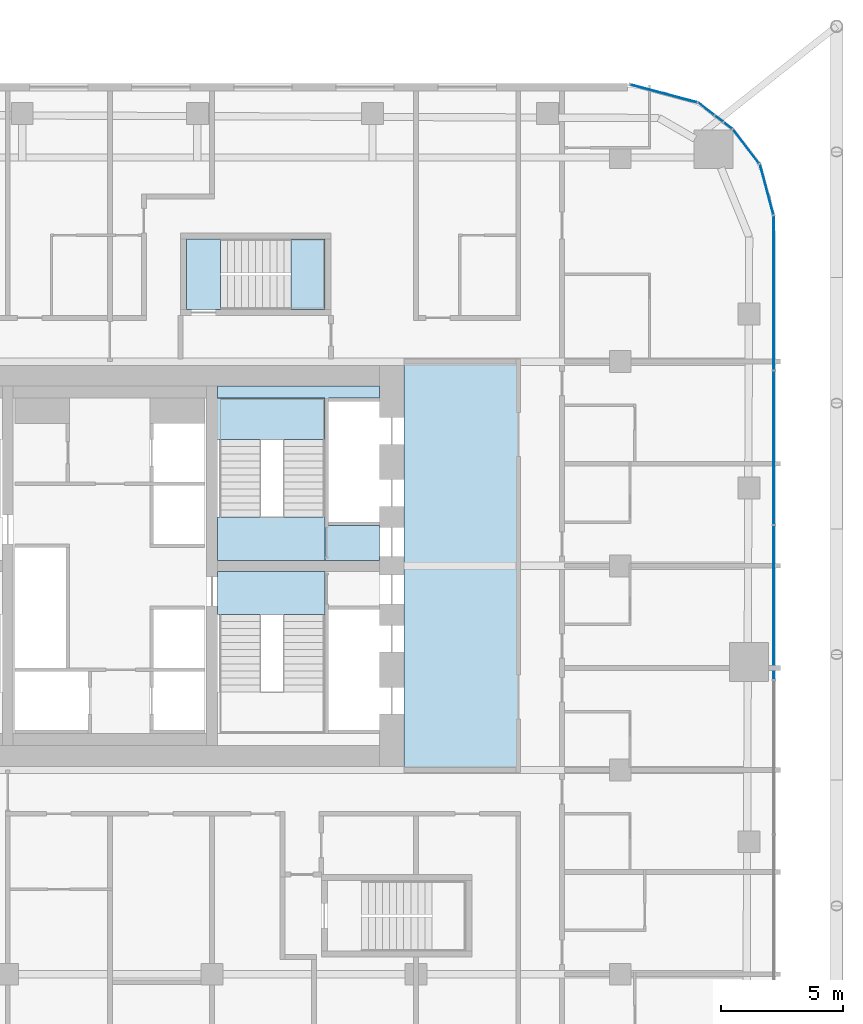
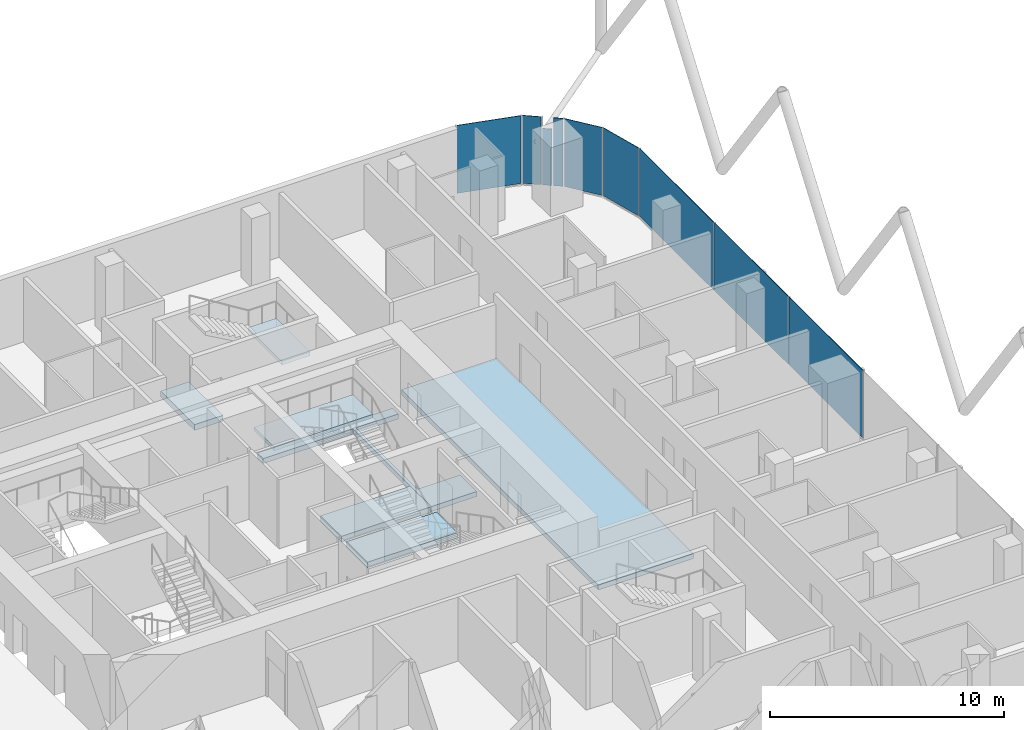
# One storey, part 23 of 33: 9 plates, 7 slabs, 9 elements without a shape of their own.
"""IFC4 building model written with IfcOpenShell, lengths in metres."""

from ifc_helpers import new_model, si_unit, direction, frame, origin, origin_2d, place, context, subcontext, project, spatial, polyline, rectangle, outline, extrude, material, layer, layer_set, type_object, element, aggregate, save


model = new_model("IFC4")

# Units and contexts
model_context = context("Model", 3, precision=1e-05, world=origin(), true_north=direction((0.0, 1.0)))
body_context = subcontext(model_context, "Body", "Model", "MODEL_VIEW")
ifc_project = project(units=[si_unit("LENGTHUNIT", "METRE"), si_unit("AREAUNIT", "SQUARE_METRE"), si_unit("VOLUMEUNIT", "CUBIC_METRE"), si_unit("PLANEANGLEUNIT", "RADIAN"), si_unit("MASSUNIT", "GRAM", prefix="KILO")], contexts=[model_context])

# Site, building, storey
site_placement = place(None, origin())
site = spatial("IfcSite", under=ifc_project, at=site_placement, CompositionType="ELEMENT")
building_placement = place(site_placement, origin())
building = spatial("IfcBuilding", under=site, at=building_placement, Name="Marenta Gate Hotel Tower", CompositionType="ELEMENT")
storey_placement = place(building_placement, frame((0.0, 0.0, 137.300048828125)))
storey = spatial("IfcBuildingStorey", under=building, at=storey_placement, Name="L31", CompositionType="ELEMENT", Elevation=137.300048828125)

# Slabs
ifc_material_1 = material(Name="Concrete C40", Category="concrete")
ifc_layer_1 = layer(ifc_material_1, 0.260009765625)
ifc_layer_set_1 = layer_set([ifc_layer_1], Name="Concrete C40")
slab_type_1 = type_object("IfcSlabType", Name="Core floor slab 260", PredefinedType="FLOOR", material=ifc_layer_set_1)
slab_1_placement = place(storey_placement, frame((0.0, 0.0, -0.260009765625)))
element("IfcSlab", 1, at=slab_1_placement, inside=storey, type_object=slab_type_1, Name="L31-CF-1", PredefinedType="FLOOR", context=body_context, shape_type="SweptSolid", body=[
    extrude(outline(polyline([(12.10009765625, 0.0), (12.10009765625, 16.800048828125), (16.800048828125, 16.800048828125), (16.800048828125, 0.0), (12.10009765625, 0.0)])), origin(), (0.0, 0.0, 1.0), 0.260009765625),
])
slab_2_placement = place(storey_placement, frame((0.0, 0.0, -0.260009765625)))
element("IfcSlab", 2, at=slab_2_placement, inside=storey, type_object=slab_type_1, Name="L31-CF-3", PredefinedType="FLOOR", context=body_context, shape_type="SweptSolid", body=[
    extrude(outline(polyline([(8.85009765625, 15.300048828125), (4.425048828125, 15.300048828125), (4.425048828125, 15.800048828125), (11.10009765625, 15.800048828125), (11.10009765625, 15.300048828125), (9.0, 15.300048828125), (9.0, 15.14990234375), (9.0, 12.75), (9.0, 12.60009765625), (9.0, 10.199951171875), (9.0, 10.050048828125), (11.10009765625, 10.050048828125), (11.10009765625, 8.625), (8.85009765625, 8.625), (8.85009765625, 8.699951171875), (8.85009765625, 10.39990234375), (8.85009765625, 15.300048828125)])), origin(), (0.0, 0.0, 1.0), 0.260009765625),
])

# Stair, slab
ifc_material_2 = material(Name="Concrete C40", Category="concrete")
stair_type_1 = type_object("IfcStairType", Name="Core exit stair 1700 wide", PredefinedType="HALF_TURN_STAIR", material=ifc_material_2)
stair_1_placement = place(storey_placement, origin())
stair_1 = element("IfcStair", 3, at=stair_1_placement, inside=storey, type_object=stair_type_1, Name="Exit stair 4", PredefinedType="HALF_TURN_STAIR")
ifc_material_3 = material(Name="Concrete C40", Category="concrete")
ifc_layer_2 = layer(ifc_material_3, 0.199951171875)
ifc_layer_set_2 = layer_set([ifc_layer_2], Name="Concrete C40")
slab_type_2 = type_object("IfcSlabType", Name="Core stair landing 200", PredefinedType="LANDING", material=ifc_layer_set_2)
slab_3_placement = place(storey_placement, frame((0.0, 0.0, 1.599853515625)))
slab_3 = element("IfcSlab", 4, at=slab_3_placement, type_object=slab_type_2, Name="SL-200 ST4 landing 1", PredefinedType="LANDING", context=body_context, shape_type="SweptSolid", body=[
    extrude(outline(polyline([(3.97509765625, 13.590087890625), (8.85009765625, 13.590087890625), (8.85009765625, 15.300048828125), (3.97509765625, 15.300048828125), (3.97509765625, 13.590087890625)])), origin(), (0.0, 0.0, 1.0), 0.2001953125),
])
aggregate(stair_1, [slab_3])

# Curtain wall, plates
ifc_material_4 = material(Name="Tinted insulated glass in bronze anodised frame", Category="glass")
ifc_layer_3 = layer(ifc_material_4, 0.1201171875)
ifc_layer_set_3 = layer_set([ifc_layer_3], Name="Tinted insulated glass in bronze anodised frame")
curtain_wall_type = type_object("IfcCurtainWallType", Name="Tower unitised curtain wall CW1", PredefinedType="NOTDEFINED", material=ifc_layer_set_3)
curtain_wall_1_placement = place(storey_placement, origin())
curtain_wall_1 = element("IfcCurtainWall", 5, at=curtain_wall_1_placement, inside=storey, type_object=curtain_wall_type, Name="CW1 run G19", PredefinedType="NOTDEFINED")
ifc_material_5 = material(Name="Tinted insulated glass", Category="glass")
ifc_layer_4 = layer(ifc_material_5, 0.028076171875)
ifc_layer_set_4 = layer_set([ifc_layer_4], Name="Tinted insulated glass")
plate_type = type_object("IfcPlateType", Name="Glass panel CW1 28 mm tinted insulated unit", PredefinedType="CURTAIN_PANEL", material=ifc_layer_set_4)
plate_1_placement = place(storey_placement, frame((27.31396484375, 6.891845703125, 0.059814453125), z_axis=(0.0, 0.0, 1.0), x_axis=(0.0, 1.0, 0.0)))
plate_1 = element("IfcPlate", 6, at=plate_1_placement, type_object=plate_type, Name="CW1 panel 4.1", PredefinedType="CURTAIN_PANEL", context=body_context, shape_type="SweptSolid", body=[
    extrude(rectangle(XDim=6.300048828125, YDim=0.028076171875, at=origin_2d()), origin(), (0.0, 0.0, 1.0), 3.5400390625),
])
plate_2_placement = place(storey_placement, frame((27.31396484375, 13.251953125, 0.059814453125), z_axis=(0.0, 0.0, 1.0), x_axis=(0.0, 1.0, 0.0)))
plate_2 = element("IfcPlate", 7, at=plate_2_placement, type_object=plate_type, Name="CW1 panel 5.1", PredefinedType="CURTAIN_PANEL", context=body_context, shape_type="SweptSolid", body=[
    extrude(rectangle(XDim=6.300048828125, YDim=0.028076171875, at=origin_2d()), origin(), (0.0, 0.0, 1.0), 3.5400390625),
])
plate_3_placement = place(storey_placement, frame((27.31396484375, 19.626953125, 0.059814453125), z_axis=(0.0, 0.0, 1.0), x_axis=(0.0, 1.0, 0.0)))
plate_3 = element("IfcPlate", 8, at=plate_3_placement, type_object=plate_type, Name="CW1 panel 6.1", PredefinedType="CURTAIN_PANEL", context=body_context, shape_type="SweptSolid", body=[
    extrude(rectangle(XDim=6.330078125, YDim=0.028076171875, at=origin_2d()), origin(), (0.0, 0.0, 1.0), 3.5400390625),
])
aggregate(curtain_wall_1, [plate_1, plate_2, plate_3])

# Curtain wall, plate
curtain_wall_2_placement = place(storey_placement, origin())
curtain_wall_2 = element("IfcCurtainWall", 9, at=curtain_wall_2_placement, inside=storey, type_object=curtain_wall_type, Name="CW1 run G20", PredefinedType="NOTDEFINED")
plate_4_placement = place(storey_placement, frame((27.022216796875, 23.880615234375, 0.059814453125), z_axis=(0.0, 0.0, 1.0), x_axis=(-0.258822651658, 0.965924859908, 0.0)))
plate_4 = element("IfcPlate", 10, at=plate_4_placement, type_object=plate_type, Name="CW1 panel 1.1", PredefinedType="CURTAIN_PANEL", context=body_context, shape_type="SweptSolid", body=[
    extrude(rectangle(XDim=2.13427734375, YDim=0.028076171875, at=origin_2d()), origin(), (0.0, 0.0, 1.0), 3.5400390625),
])
aggregate(curtain_wall_2, [plate_4])

curtain_wall_3_placement = place(storey_placement, origin())
curtain_wall_3 = element("IfcCurtainWall", 11, at=curtain_wall_3_placement, inside=storey, type_object=curtain_wall_type, Name="CW1 run G21", PredefinedType="NOTDEFINED")
plate_5_placement = place(storey_placement, frame((26.177490234375, 25.652099609375, 0.059814453125), z_axis=(0.0, 0.0, 1.0), x_axis=(-0.608796116694, 0.793326722289, 0.0)))
plate_5 = element("IfcPlate", 12, at=plate_5_placement, type_object=plate_type, Name="CW1 panel 1.1", PredefinedType="CURTAIN_PANEL", context=body_context, shape_type="SweptSolid", body=[
    extrude(rectangle(XDim=1.747802734375, YDim=0.028076171875, at=origin_2d()), origin(), (0.0, 0.0, 1.0), 3.5400390625),
])
aggregate(curtain_wall_3, [plate_5])

curtain_wall_4_placement = place(storey_placement, origin())
curtain_wall_4 = element("IfcCurtainWall", 13, at=curtain_wall_4_placement, inside=storey, type_object=curtain_wall_type, Name="CW1 run G22", PredefinedType="NOTDEFINED")
plate_6_placement = place(storey_placement, frame((25.4345703125, 26.50732421875, 0.059814453125), z_axis=(0.0, 0.0, 1.0), x_axis=(-0.793340265701, 0.608778467767, 0.0)))
plate_6 = element("IfcPlate", 14, at=plate_6_placement, type_object=plate_type, Name="CW1 panel 1.1", PredefinedType="CURTAIN_PANEL", context=body_context, shape_type="SweptSolid", body=[
    extrude(rectangle(XDim=0.411865234375, YDim=0.028076171875, at=origin_2d()), origin(), (0.0, 0.0, 1.0), 3.5400390625),
])
aggregate(curtain_wall_4, [plate_6])

curtain_wall_5_placement = place(storey_placement, origin())
curtain_wall_5 = element("IfcCurtainWall", 15, at=curtain_wall_5_placement, inside=storey, type_object=curtain_wall_type, Name="CW1 run G23", PredefinedType="NOTDEFINED")
plate_7_placement = place(storey_placement, frame((25.06201171875, 26.793212890625, 0.06005859375), z_axis=(0.0, 0.0, 1.0), x_axis=(-0.79337187392, 0.608737274752, 0.0)))
plate_7 = element("IfcPlate", 16, at=plate_7_placement, type_object=plate_type, Name="CW1 panel 1.1", PredefinedType="CURTAIN_PANEL", context=body_context, shape_type="SweptSolid", body=[
    extrude(rectangle(XDim=0.406982421875, YDim=0.028076171875, at=origin_2d()), origin(), (0.0, 0.0, 1.0), 2.9404296875),
])
aggregate(curtain_wall_5, [plate_7])

curtain_wall_6_placement = place(storey_placement, origin())
curtain_wall_6 = element("IfcCurtainWall", 17, at=curtain_wall_6_placement, inside=storey, type_object=curtain_wall_type, Name="CW1 run G24", PredefinedType="NOTDEFINED")
plate_8_placement = place(storey_placement, frame((24.5322265625, 27.19970703125, 0.059814453125), z_axis=(0.0, 0.0, 1.0), x_axis=(-0.793295108539, 0.608837310591, 0.0)))
plate_8 = element("IfcPlate", 18, at=plate_8_placement, type_object=plate_type, Name="CW1 panel 1.1", PredefinedType="CURTAIN_PANEL", context=body_context, shape_type="SweptSolid", body=[
    extrude(rectangle(XDim=0.80908203125, YDim=0.028076171875, at=origin_2d()), origin(), (0.0, 0.0, 1.0), 3.5400390625),
])
aggregate(curtain_wall_6, [plate_8])

curtain_wall_7_placement = place(storey_placement, origin())
curtain_wall_7 = element("IfcCurtainWall", 19, at=curtain_wall_7_placement, inside=storey, type_object=curtain_wall_type, Name="CW1 run G25", PredefinedType="NOTDEFINED")
plate_9_placement = place(storey_placement, frame((22.783935546875, 27.82861328125, 0.059814453125), z_axis=(0.0, 0.0, 1.0), x_axis=(-0.965929324305, 0.258805989975, 0.0)))
plate_9 = element("IfcPlate", 20, at=plate_9_placement, type_object=plate_type, Name="CW1 panel 1.1", PredefinedType="CURTAIN_PANEL", context=body_context, shape_type="SweptSolid", body=[
    extrude(rectangle(XDim=2.83544921875, YDim=0.028076171875, at=origin_2d()), origin(), (0.0, 0.0, 1.0), 3.5400390625),
])
aggregate(curtain_wall_7, [plate_9])

# Stair, slab
ifc_material_6 = material(Name="Concrete C40", Category="concrete")
stair_type_2 = type_object("IfcStairType", Name="Remote exit stair 1400 wide", PredefinedType="HALF_TURN_STAIR", material=ifc_material_6)
stair_2_placement = place(storey_placement, origin())
stair_2 = element("IfcStair", 21, at=stair_2_placement, inside=storey, type_object=stair_type_2, Name="Exit stair RS-Z2-4", PredefinedType="HALF_TURN_STAIR")
ifc_material_7 = material(Name="Concrete C40", Category="concrete")
ifc_layer_5 = layer(ifc_material_7, 0.199951171875)
ifc_layer_set_5 = layer_set([ifc_layer_5], Name="Concrete C40")
slab_type_3 = type_object("IfcSlabType", Name="Remote stair landing 200", PredefinedType="LANDING", material=ifc_layer_set_5)
slab_4_placement = place(storey_placement, frame((0.0, 0.0, 1.599853515625)))
slab_4 = element("IfcSlab", 22, at=slab_4_placement, type_object=slab_type_3, Name="RL-200 RS-Z2-4 landing 1", PredefinedType="LANDING", context=body_context, shape_type="SweptSolid", body=[
    extrude(outline(polyline([(7.449951171875, 18.949951171875), (8.85009765625, 18.949951171875), (8.85009765625, 21.85009765625), (7.449951171875, 21.85009765625), (7.449951171875, 18.949951171875)])), origin(), (0.0, 0.0, 1.0), 0.2001953125),
])
aggregate(stair_2, [slab_4])

# Slabs
ifc_material_8 = material(Name="Concrete C40", Category="concrete")
ifc_layer_6 = layer(ifc_material_8, 0.300048828125)
ifc_layer_set_6 = layer_set([ifc_layer_6], Name="Concrete C40")
slab_type_4 = type_object("IfcSlabType", Name="Stair floor landing slab 300", PredefinedType="FLOOR", material=ifc_layer_set_6)
slab_5_placement = place(storey_placement, frame((0.0, 0.0, -0.300048828125)))
element("IfcSlab", 23, at=slab_5_placement, inside=storey, type_object=slab_type_4, Name="L31-CL-ST3-1", PredefinedType="FLOOR", context=body_context, shape_type="SweptSolid", body=[
    extrude(outline(polyline([(4.425048828125, 6.39990234375), (4.425048828125, 8.175048828125), (8.85009765625, 8.175048828125), (8.85009765625, 8.10009765625), (8.85009765625, 6.39990234375), (4.425048828125, 6.39990234375)])), origin(), (0.0, 0.0, 1.0), 0.300048828125),
])
slab_6_placement = place(storey_placement, frame((0.0, 0.0, -0.300048828125)))
element("IfcSlab", 24, at=slab_6_placement, inside=storey, type_object=slab_type_4, Name="L31-CL-ST4-1", PredefinedType="FLOOR", context=body_context, shape_type="SweptSolid", body=[
    extrude(outline(polyline([(4.425048828125, 8.625), (4.425048828125, 10.39990234375), (8.85009765625, 10.39990234375), (8.85009765625, 8.699951171875), (8.85009765625, 8.625), (4.425048828125, 8.625)])), origin(), (0.0, 0.0, 1.0), 0.300048828125),
])
slab_7_placement = place(storey_placement, frame((0.0, 0.0, -0.300048828125)))
element("IfcSlab", 25, at=slab_7_placement, inside=storey, type_object=slab_type_4, Name="L31-RS-Z2-4-CL", PredefinedType="FLOOR", context=body_context, shape_type="SweptSolid", body=[
    extrude(outline(polyline([(4.550048828125, 18.949951171875), (4.550048828125, 21.85009765625), (3.14990234375, 21.85009765625), (3.14990234375, 18.949951171875), (4.550048828125, 18.949951171875)])), origin(), (0.0, 0.0, 1.0), 0.300048828125),
])

save(model, "model.ifc")
